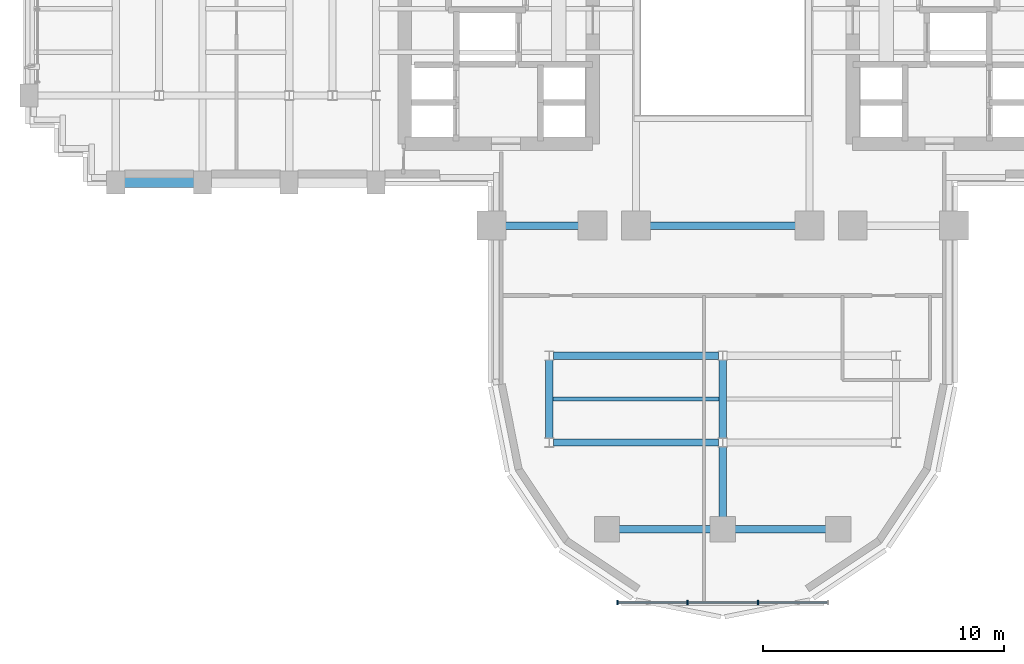
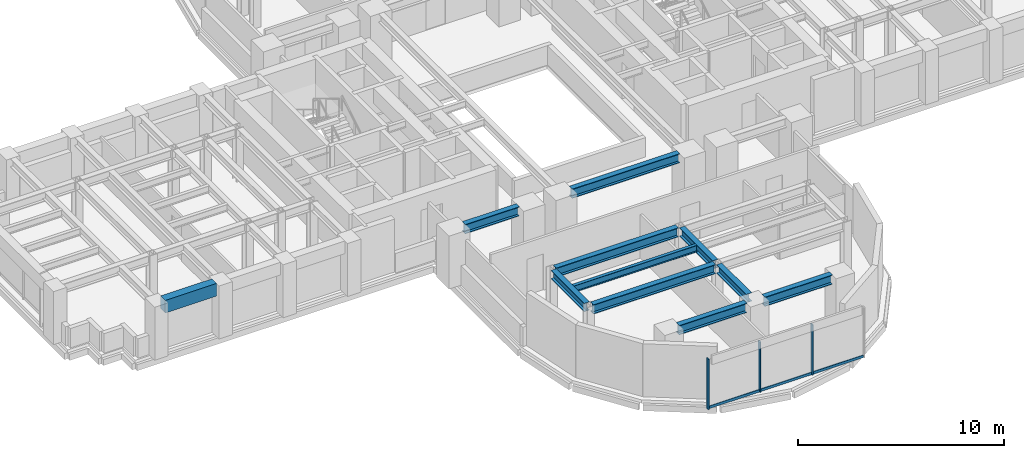
# One storey, part 3 of 16: 11 beams, 6 members, 1 element without a shape of its own.
"""IFC4 building model written with IfcOpenShell, lengths in metres."""

from ifc_helpers import new_model, si_unit, direction, frame, origin, origin_2d, place, context, subcontext, project, spatial, rectangle, i_section, extrude, source, transform, mapped, material, material_profile, profile_set, type_object, element, aggregate, save


model = new_model("IFC4")

# Units and contexts
model_context = context("Model", 3, precision=1e-05, world=origin(), true_north=direction((0.0, 1.0)))
body_context = subcontext(model_context, "Body", "Model", "MODEL_VIEW")
ifc_project = project(units=[si_unit("LENGTHUNIT", "METRE"), si_unit("AREAUNIT", "SQUARE_METRE"), si_unit("VOLUMEUNIT", "CUBIC_METRE"), si_unit("PLANEANGLEUNIT", "RADIAN"), si_unit("MASSUNIT", "GRAM", prefix="KILO")], contexts=[model_context])

# Site, building, storey
site_placement = place(None, origin())
site = spatial("IfcSite", under=ifc_project, at=site_placement, CompositionType="ELEMENT")
building_placement = place(site_placement, origin())
building = spatial("IfcBuilding", under=site, at=building_placement, Name="Keilestroom Media Tower", CompositionType="ELEMENT")
storey_placement = place(building_placement, frame((0.0, 0.0, 85.0)))
storey = spatial("IfcBuildingStorey", under=building, at=storey_placement, Name="L22", CompositionType="ELEMENT", Elevation=85.0)

# Beams
ifc_material_1 = material(Name="Steel S355", Category="steel")
ifc_material_profile_1 = material_profile(ifc_material_1, i_section(OverallWidth=0.300048828125, OverallDepth=0.550048828125, WebThickness=0.012939453125, FlangeThickness=0.029052734375, at=origin_2d()), Name="HEB 550")
ifc_profile_set_1 = profile_set([ifc_material_profile_1], Name="Steel S355")
beam_type_1 = type_object("IfcBeamType", Name="Primary-Structural-Girder-HEB-550", PredefinedType="BEAM", material=ifc_profile_set_1)
shared_shape_1 = source(origin(), body_context, "Body", "SweptSolid", [
    extrude(i_section(OverallWidth=0.300048828125, OverallDepth=0.550048828125, WebThickness=0.012939453125, FlangeThickness=0.029052734375, at=origin_2d()), origin(), (0.0, 0.0, 1.0), 3.7900390625),
])
for number, where, z_axis, x_axis, name in (
    (1, (-4.294921875, -21.60009765625, 2.864990234375), (1.0, 0.0, 0.0), (0.0, 1.0, 0.0), "L22 Beam BG-5 BM-L22-EW-001"),
    (2, (0.5048828125, -21.60009765625, 2.864990234375), (1.0, 0.0, 0.0), (0.0, 1.0, 0.0), "L22 Beam BG-5 BM-L22-EW-002"),
):
    element("IfcBeam", number, at=place(storey_placement, frame(where, z_axis=z_axis, x_axis=x_axis)), inside=storey, type_object=beam_type_1, Name=name, PredefinedType="BEAM", context=body_context, shape_type="MappedRepresentation", body=[
        mapped(shared_shape_1, transform((0.0, 0.0, 0.0), x_axis=(1.0, 0.0, 0.0), y_axis=(0.0, 1.0, 0.0), z_axis=(0.0, 0.0, 1.0), scale=1.0)),
    ])
shared_shape_2 = source(origin(), body_context, "Body", "SweptSolid", [
    extrude(i_section(OverallWidth=0.300048828125, OverallDepth=0.550048828125, WebThickness=0.012939453125, FlangeThickness=0.029052734375, at=origin_2d()), origin(), (0.0, 0.0, 1.0), 6.836181640625),
])
for number, where, z_axis, x_axis, name in (
    (3, (-7.01806640625, -18.0, 2.864990234375), (1.0, 0.0, 0.0), (0.0, 1.0, 0.0), "L22 Beam BG-5 BM-L22-EW-003"),
    (4, (-7.01806640625, -14.39990234375, 2.864990234375), (1.0, 0.0, 0.0), (0.0, 1.0, 0.0), "L22 Beam BG-5 BM-L22-EW-005"),
):
    element("IfcBeam", number, at=place(storey_placement, frame(where, z_axis=z_axis, x_axis=x_axis)), inside=storey, type_object=beam_type_1, Name=name, PredefinedType="BEAM", context=body_context, shape_type="MappedRepresentation", body=[
        mapped(shared_shape_2, transform((0.0, 0.0, 0.0), x_axis=(1.0, 0.0, 0.0), y_axis=(0.0, 1.0, 0.0), z_axis=(0.0, 0.0, 1.0), scale=1.0)),
    ])
shared_shape_3 = source(origin(), body_context, "Body", "SweptSolid", [
    extrude(i_section(OverallWidth=0.300048828125, OverallDepth=0.550048828125, WebThickness=0.012939453125, FlangeThickness=0.029052734375, at=origin_2d()), origin(), (0.0, 0.0, 1.0), 3.0400390625),
])
beam_1_placement = place(storey_placement, frame((-9.02001953125, -9.0, 2.864990234375), z_axis=(1.0, 0.0, 0.0), x_axis=(0.0, 1.0, 0.0)))
element("IfcBeam", 5, at=beam_1_placement, inside=storey, type_object=beam_type_1, Name="L22 Beam BG-5 BM-L22-EW-007", PredefinedType="BEAM", context=body_context, shape_type="MappedRepresentation", body=[
    mapped(shared_shape_3, transform((0.0, 0.0, 0.0), x_axis=(1.0, 0.0, 0.0), y_axis=(0.0, 1.0, 0.0), z_axis=(0.0, 0.0, 1.0), scale=1.0)),
])
shared_shape_4 = source(origin(), body_context, "Body", "SweptSolid", [
    extrude(i_section(OverallWidth=0.300048828125, OverallDepth=0.550048828125, WebThickness=0.012939453125, FlangeThickness=0.029052734375, at=origin_2d()), origin(), (0.0, 0.0, 1.0), 6.0400390625),
])
beam_2_placement = place(storey_placement, frame((-3.02001953125, -9.0, 2.864990234375), z_axis=(1.0, 0.0, 0.0), x_axis=(0.0, 1.0, 0.0)))
element("IfcBeam", 6, at=beam_2_placement, inside=storey, type_object=beam_type_1, Name="L22 Beam BG-5 BM-L22-EW-009", PredefinedType="BEAM", context=body_context, shape_type="MappedRepresentation", body=[
    mapped(shared_shape_4, transform((0.0, 0.0, 0.0), x_axis=(1.0, 0.0, 0.0), y_axis=(0.0, 1.0, 0.0), z_axis=(0.0, 0.0, 1.0), scale=1.0)),
])
ifc_material_2 = material(Name="Precast concrete C40/50", Category="concrete")
ifc_material_profile_2 = material_profile(ifc_material_2, rectangle(XDim=0.449951171875, YDim=0.75, at=origin_2d()), Name="PC 450x750")
ifc_profile_set_2 = profile_set([ifc_material_profile_2], Name="Precast concrete C40/50")
beam_type_2 = type_object("IfcBeamType", Name="Perimeter-Spandrel-Beam-PC-450x750", PredefinedType="SPANDREL", material=ifc_profile_set_2)
shared_shape_5 = source(origin(), body_context, "Body", "SweptSolid", [
    extrude(rectangle(XDim=0.449951171875, YDim=0.75, at=origin_2d()), origin(), (0.0, 0.0, 1.0), 2.889892578125),
])
beam_3_placement = place(storey_placement, frame((-24.844970703125, -7.199951171875, 2.764892578125), z_axis=(1.0, 0.0, 0.0), x_axis=(0.0, 1.0, 0.0)))
element("IfcBeam", 7, at=beam_3_placement, inside=storey, type_object=beam_type_2, Name="L22 Beam SPB-1 BM-L22-EW-012", PredefinedType="SPANDREL", context=body_context, shape_type="MappedRepresentation", body=[
    mapped(shared_shape_5, transform((0.0, 0.0, 0.0), x_axis=(1.0, 0.0, 0.0), y_axis=(0.0, 1.0, 0.0), z_axis=(0.0, 0.0, 1.0), scale=1.0)),
])
ifc_material_profile_3 = material_profile(ifc_material_1, i_section(OverallWidth=0.300048828125, OverallDepth=0.5, WebThickness=0.012451171875, FlangeThickness=0.028076171875, at=origin_2d()), Name="HEB 500")
ifc_profile_set_3 = profile_set([ifc_material_profile_3], Name="Steel S355")
beam_type_3 = type_object("IfcBeamType", Name="Primary-Structural-Girder-HEB-500", PredefinedType="BEAM", material=ifc_profile_set_3)
shared_shape_6 = source(origin(), body_context, "Body", "SweptSolid", [
    extrude(i_section(OverallWidth=0.300048828125, OverallDepth=0.5, WebThickness=0.012451171875, FlangeThickness=0.028076171875, at=origin_2d()), origin(), (0.0, 0.0, 1.0), 3.23291015625),
])
for number, where, z_axis, x_axis, name in (
    (8, (-7.199951171875, -17.81640625, 2.889892578125), (0.0, 1.0, 0.0), (-1.0, 0.0, 0.0), "L22 Beam BG-6 BM-L22-NS-063"),
    (9, (0.0, -17.81640625, 2.889892578125), (0.0, 1.0, 0.0), (-1.0, 0.0, 0.0), "L22 Beam BG-6 BM-L22-NS-068"),
):
    element("IfcBeam", number, at=place(storey_placement, frame(where, z_axis=z_axis, x_axis=x_axis)), inside=storey, type_object=beam_type_3, Name=name, PredefinedType="BEAM", context=body_context, shape_type="MappedRepresentation", body=[
        mapped(shared_shape_6, transform((0.0, 0.0, 0.0), x_axis=(1.0, 0.0, 0.0), y_axis=(0.0, 1.0, 0.0), z_axis=(0.0, 0.0, 1.0), scale=1.0)),
    ])
shared_shape_7 = source(origin(), body_context, "Body", "SweptSolid", [
    extrude(i_section(OverallWidth=0.300048828125, OverallDepth=0.5, WebThickness=0.012451171875, FlangeThickness=0.028076171875, at=origin_2d()), origin(), (0.0, 0.0, 1.0), 2.911376953125),
])
beam_4_placement = place(storey_placement, frame((0.0, -21.094970703125, 2.889892578125), z_axis=(0.0, 1.0, 0.0), x_axis=(-1.0, 0.0, 0.0)))
element("IfcBeam", 10, at=beam_4_placement, inside=storey, type_object=beam_type_3, Name="L22 Beam BG-6 BM-L22-NS-067", PredefinedType="BEAM", context=body_context, shape_type="MappedRepresentation", body=[
    mapped(shared_shape_7, transform((0.0, 0.0, 0.0), x_axis=(1.0, 0.0, 0.0), y_axis=(0.0, 1.0, 0.0), z_axis=(0.0, 0.0, 1.0), scale=1.0)),
])
ifc_material_profile_4 = material_profile(ifc_material_1, i_section(OverallWidth=0.179931640625, OverallDepth=0.39990234375, WebThickness=0.008544921875, FlangeThickness=0.013427734375, at=origin_2d()), Name="IPE 400")
ifc_profile_set_4 = profile_set([ifc_material_profile_4], Name="Steel S355")
beam_type_4 = type_object("IfcBeamType", Name="Secondary-Floor-Joist-IPE-400", PredefinedType="JOIST", material=ifc_profile_set_4)
shared_shape_8 = source(origin(), body_context, "Body", "SweptSolid", [
    extrude(i_section(OverallWidth=0.179931640625, OverallDepth=0.39990234375, WebThickness=0.008544921875, FlangeThickness=0.013427734375, at=origin_2d()), origin(), (0.0, 0.0, 1.0), 6.940185546875),
])
beam_5_placement = place(storey_placement, frame((-7.070068359375, -16.199951171875, 2.93994140625), z_axis=(1.0, 0.0, 0.0), x_axis=(0.0, 1.0, 0.0)))
element("IfcBeam", 11, at=beam_5_placement, inside=storey, type_object=beam_type_4, Name="L22 Beam BJ-4 JST-L22-087", PredefinedType="JOIST", context=body_context, shape_type="MappedRepresentation", body=[
    mapped(shared_shape_8, transform((0.0, 0.0, 0.0), x_axis=(1.0, 0.0, 0.0), y_axis=(0.0, 1.0, 0.0), z_axis=(0.0, 0.0, 1.0), scale=1.0)),
])

# Curtain wall, members
ifc_material_3 = material(Name="Anodised Aluminium Alloy", Category="aluminium")
curtain_wall_type = type_object("IfcCurtainWallType", Name="Unitised-Curtain-Wall-CW-6", PredefinedType="NOTDEFINED", material=ifc_material_3)
curtain_wall_placement = place(storey_placement, origin())
curtain_wall = element("IfcCurtainWall", 12, at=curtain_wall_placement, inside=storey, type_object=curtain_wall_type, Name="L22 Curtain Wall CW-6 CW-L22-LS-1", PredefinedType="NOTDEFINED")
ifc_material_profile_5 = material_profile(ifc_material_3, rectangle(XDim=0.06494140625, YDim=0.179931640625, at=origin_2d()), Name="ALU MULLION 65x180")
ifc_profile_set_5 = profile_set([ifc_material_profile_5], Name="Anodised Aluminium Alloy")
member_type_1 = type_object("IfcMemberType", Name="Curtain-Wall-Mullion-CW-6", PredefinedType="MULLION", material=ifc_profile_set_5)
shared_shape_9 = source(origin(), body_context, "Body", "SweptSolid", [
    extrude(rectangle(XDim=0.06494140625, YDim=0.179931640625, at=origin_2d()), origin(), (0.0, 0.0, 1.0), 2.97998046875),
])
member_1_placement = place(storey_placement, frame((-4.367431640625, -24.64990234375, 0.0), z_axis=(0.0, 0.0, 1.0), x_axis=(1.0, 0.0, 0.0)))
member_1 = element("IfcMember", 13, at=member_1_placement, type_object=member_type_1, Name="CW-6 Mullion 00", PredefinedType="MULLION", context=body_context, shape_type="MappedRepresentation", body=[
    mapped(shared_shape_9, transform((0.0, 0.0, 0.0), x_axis=(1.0, 0.0, 0.0), y_axis=(0.0, 1.0, 0.0), z_axis=(0.0, 0.0, 1.0), scale=1.0)),
])
member_2_placement = place(storey_placement, frame((-1.466796875, -24.64990234375, 0.0), z_axis=(0.0, 0.0, 1.0), x_axis=(1.0, 0.0, 0.0)))
member_2 = element("IfcMember", 14, at=member_2_placement, type_object=member_type_1, Name="CW-6 Mullion 01", PredefinedType="MULLION", context=body_context, shape_type="MappedRepresentation", body=[
    mapped(shared_shape_9, transform((0.0, 0.0, 0.0), x_axis=(1.0, 0.0, 0.0), y_axis=(0.0, 1.0, 0.0), z_axis=(0.0, 0.0, 1.0), scale=1.0)),
])
member_3_placement = place(storey_placement, frame((1.466796875, -24.64990234375, 0.0), z_axis=(0.0, 0.0, 1.0), x_axis=(1.0, 0.0, 0.0)))
member_3 = element("IfcMember", 15, at=member_3_placement, type_object=member_type_1, Name="CW-6 Mullion 02", PredefinedType="MULLION", context=body_context, shape_type="MappedRepresentation", body=[
    mapped(shared_shape_9, transform((0.0, 0.0, 0.0), x_axis=(1.0, 0.0, 0.0), y_axis=(0.0, 1.0, 0.0), z_axis=(0.0, 0.0, 1.0), scale=1.0)),
])
ifc_material_profile_6 = material_profile(ifc_material_3, rectangle(XDim=0.06494140625, YDim=0.14990234375, at=origin_2d()), Name="ALU TRANSOM 65x150")
ifc_profile_set_6 = profile_set([ifc_material_profile_6], Name="Anodised Aluminium Alloy")
member_type_2 = type_object("IfcMemberType", Name="Curtain-Wall-Transom-CW-6", PredefinedType="USERDEFINED", material=ifc_profile_set_6)
shared_shape_10 = source(origin(), body_context, "Body", "SweptSolid", [
    extrude(rectangle(XDim=0.06494140625, YDim=0.14990234375, at=origin_2d()), origin(), (0.0, 0.0, 1.0), 2.839599609375),
])
member_4_placement = place(storey_placement, frame((-4.3369140625, -24.64990234375, 0.074951171875), z_axis=(1.0, 0.0, 0.0), x_axis=(0.0, 1.0, 0.0)))
member_4 = element("IfcMember", 16, at=member_4_placement, type_object=member_type_2, Name="CW-6 Transom 00.1", ObjectType="TRANSOM", PredefinedType="USERDEFINED", context=body_context, shape_type="MappedRepresentation", body=[
    mapped(shared_shape_10, transform((0.0, 0.0, 0.0), x_axis=(1.0, 0.0, 0.0), y_axis=(0.0, 1.0, 0.0), z_axis=(0.0, 0.0, 1.0), scale=1.0)),
])
member_5_placement = place(storey_placement, frame((1.497314453125, -24.64990234375, 0.074951171875), z_axis=(1.0, 0.0, 0.0), x_axis=(0.0, 1.0, 0.0)))
member_5 = element("IfcMember", 17, at=member_5_placement, type_object=member_type_2, Name="CW-6 Transom 02.1", ObjectType="TRANSOM", PredefinedType="USERDEFINED", context=body_context, shape_type="MappedRepresentation", body=[
    mapped(shared_shape_10, transform((0.0, 0.0, 0.0), x_axis=(1.0, 0.0, 0.0), y_axis=(0.0, 1.0, 0.0), z_axis=(0.0, 0.0, 1.0), scale=1.0)),
])
shared_shape_11 = source(origin(), body_context, "Body", "SweptSolid", [
    extrude(rectangle(XDim=0.06494140625, YDim=0.14990234375, at=origin_2d()), origin(), (0.0, 0.0, 1.0), 2.87255859375),
])
member_6_placement = place(storey_placement, frame((-1.436279296875, -24.64990234375, 0.074951171875), z_axis=(1.0, 0.0, 0.0), x_axis=(0.0, 1.0, 0.0)))
member_6 = element("IfcMember", 18, at=member_6_placement, type_object=member_type_2, Name="CW-6 Transom 01.1", ObjectType="TRANSOM", PredefinedType="USERDEFINED", context=body_context, shape_type="MappedRepresentation", body=[
    mapped(shared_shape_11, transform((0.0, 0.0, 0.0), x_axis=(1.0, 0.0, 0.0), y_axis=(0.0, 1.0, 0.0), z_axis=(0.0, 0.0, 1.0), scale=1.0)),
])
aggregate(curtain_wall, [member_1, member_2, member_3, member_4, member_6, member_5])

save(model, "model.ifc")
